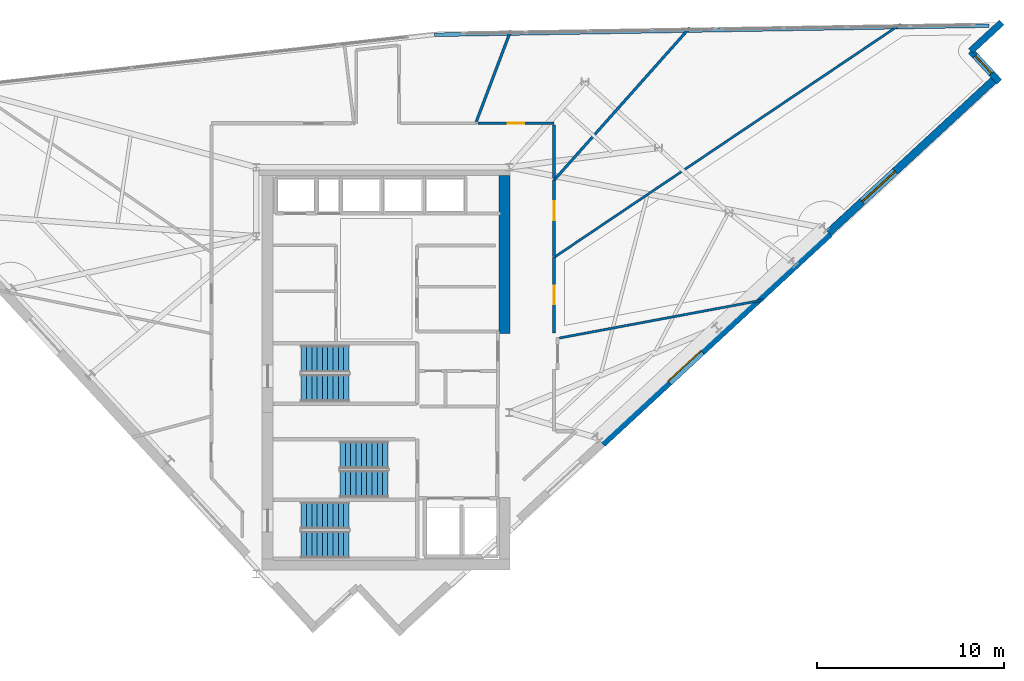
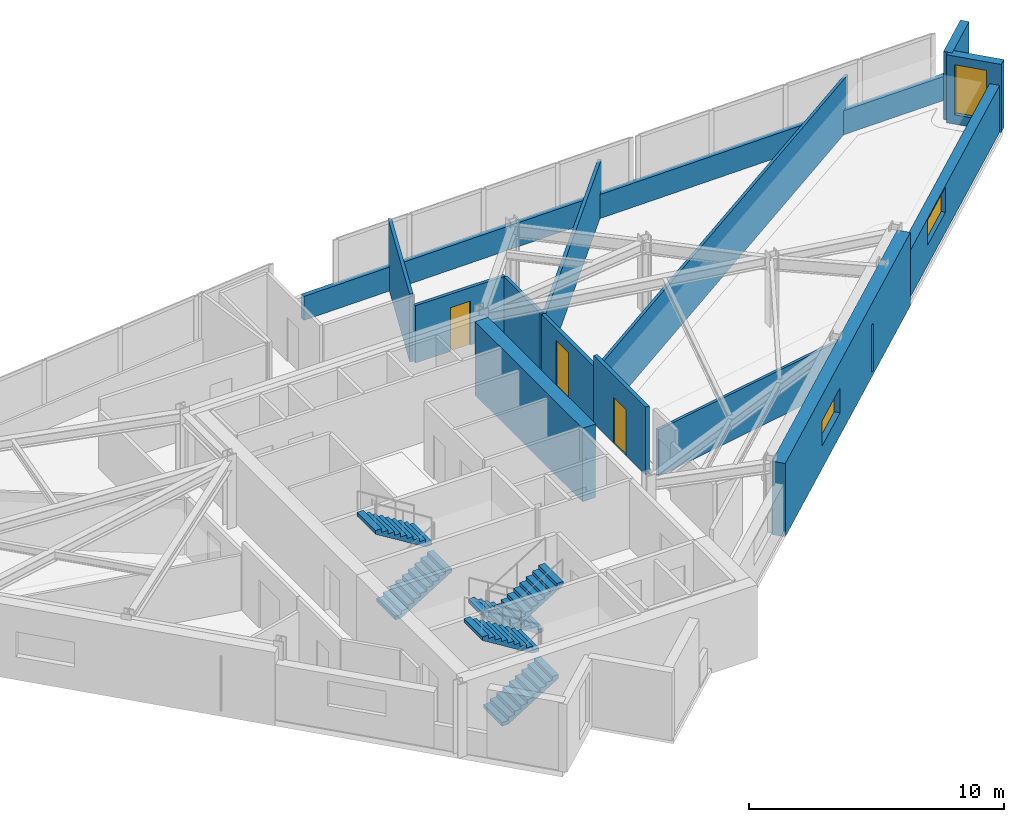
# One storey, part 12 of 14: 14 walls, 6 stair flights, 3 doors, 3 windows, 6 openings, 3 elements without a shape of their own.
"""IFC4 building model written with IfcOpenShell, lengths in metres."""

from ifc_helpers import new_model, si_unit, direction, frame, frame_2d, origin, place, context, subcontext, project, spatial, polyline, rectangle, outline, extrude, material, layer, layer_set, type_object, element, fill, aggregate, save


model = new_model("IFC4")

# Units and contexts
model_context = context("Model", 3, precision=1e-05, world=origin(), true_north=direction((0.0, 1.0)))
body_context = subcontext(model_context, "Body", "Model", "MODEL_VIEW")
ifc_project = project(units=[si_unit("LENGTHUNIT", "METRE"), si_unit("AREAUNIT", "SQUARE_METRE"), si_unit("VOLUMEUNIT", "CUBIC_METRE"), si_unit("PLANEANGLEUNIT", "RADIAN"), si_unit("MASSUNIT", "GRAM", prefix="KILO")], contexts=[model_context])

# Site, building, storey
site_placement = place(None, origin())
site = spatial("IfcSite", under=ifc_project, at=site_placement, CompositionType="ELEMENT")
building_placement = place(site_placement, origin())
building = spatial("IfcBuilding", under=site, at=building_placement, Name="Narakoshi Arena Tower", CompositionType="ELEMENT")
storey_placement = place(building_placement, frame((0.0, 0.0, 288.89990234375)))
storey = spatial("IfcBuildingStorey", under=building, at=storey_placement, Name="L79", CompositionType="ELEMENT", Elevation=288.89990234375)

# Wall
ifc_material_1 = material(Name="Concrete C50/60", Category="concrete")
ifc_layer_1 = layer(ifc_material_1, 0.60009765625)
ifc_layer_set_1 = layer_set([ifc_layer_1], Name="Concrete C50/60")
wall_type_1 = type_object("IfcWallType", Name="WL-CORE-600", PredefinedType="SHEAR", material=ifc_layer_set_1)
wall_1_placement = place(storey_placement, frame((85.300048828125, 47.60009765625, -0.260009765625), z_axis=(0.0, 0.0, 1.0), x_axis=(0.0, 1.0, 0.0)))
element("IfcWall", 1, at=wall_1_placement, inside=storey, type_object=wall_type_1, Name="L79 Main Core Shear Wall CW-MN-E", PredefinedType="SHEAR", context=body_context, shape_type="SweptSolid", body=[
    extrude(rectangle(XDim=8.449951171875, YDim=0.60009765625, at=frame_2d((4.22509765625, 0.0))), origin(), (0.0, 0.0, 1.0), 3.52001953125),
])

# Wall, opening, door
ifc_material_2 = material(Name="Gypsum plasterboard fire-rated partition")
ifc_layer_2 = layer(ifc_material_2, 0.1650390625)
ifc_layer_set_2 = layer_set([ifc_layer_2], Name="Gypsum plasterboard fire-rated partition")
wall_type_2 = type_object("IfcWallType", Name="WL-CORR-165", PredefinedType="PARTITIONING", material=ifc_layer_set_2)
wall_2_placement = place(storey_placement, frame((87.95849609375, 47.6201171875, 0.0), z_axis=(0.0, 0.0, 1.0), x_axis=(0.0, 1.0, 0.0)))
wall_2 = element("IfcWall", 2, at=wall_2_placement, inside=storey, type_object=wall_type_2, Name="L79 Corridor Partition 03-1", PredefinedType="PARTITIONING", context=body_context, shape_type="SweptSolid", body=[
    extrude(rectangle(XDim=4.0791015625, YDim=0.1650390625, at=frame_2d((2.03955078125, 0.0))), origin(), (0.0, 0.0, 1.0), 3.260009765625),
])
opening_1_placement = place(wall_2_placement, frame((1.53955078125, 0.0, 0.0)))
opening_1 = element("IfcOpeningElement", 3, at=opening_1_placement, cuts=wall_2, Name="Opening D-06", PredefinedType="OPENING", context=body_context, shape_type="SweptSolid", body=[
    extrude(rectangle(XDim=1.0, YDim=2.199951171875, at=frame_2d((0.5, 1.10009765625))), frame((0.0, 0.092529296875, 0.0), z_axis=(0.0, -1.0, 0.0), x_axis=(1.0, 0.0, 0.0)), (0.0, 0.0, 1.0), 0.18505859375),
])
ifc_material_3 = material(Name="Stained oak solid-core timber", Category="wood")
door_type_1 = type_object("IfcDoorType", Name="DR-OFF-1000", OperationType="NOTDEFINED", PredefinedType="DOOR", material=ifc_material_3)
door_1_placement = place(opening_1_placement, frame((1.0, 0.0, 0.0), z_axis=(0.0, 0.0, 1.0), x_axis=(-1.0, 0.0, 0.0)))
door_1 = element("IfcDoor", 4, at=door_1_placement, inside=storey, type_object=door_type_1, Name="DR-L79-018", OperationType="SINGLE_SWING_LEFT", OverallHeight=2.199951171875, OverallWidth=1.0, PredefinedType="DOOR", context=body_context, shape_type="SweptSolid", body=[
    extrude(rectangle(XDim=1.0, YDim=2.199951171875, at=frame_2d((0.5, 1.10009765625))), frame((0.0, 0.02490234375, 0.0), z_axis=(0.0, -1.0, 0.0), x_axis=(1.0, 0.0, 0.0)), (0.0, 0.0, 1.0), 0.050048828125),
])
fill(opening_1, door_1)

wall_3_placement = place(storey_placement, frame((87.95849609375, 51.72802734375, 0.0), z_axis=(0.0, 0.0, 1.0), x_axis=(0.0, 1.0, 0.0)))
wall_3 = element("IfcWall", 5, at=wall_3_placement, inside=storey, type_object=wall_type_2, Name="L79 Corridor Partition 04-1", PredefinedType="PARTITIONING", context=body_context, shape_type="SweptSolid", body=[
    extrude(rectangle(XDim=4.0791015625, YDim=0.1650390625, at=frame_2d((2.03955078125, 0.0))), origin(), (0.0, 0.0, 1.0), 2.7451171875),
])
opening_2_placement = place(wall_3_placement, frame((1.94140625, 0.0, 0.0)))
opening_2 = element("IfcOpeningElement", 6, at=opening_2_placement, cuts=wall_3, Name="Opening D-06", PredefinedType="OPENING", context=body_context, shape_type="SweptSolid", body=[
    extrude(rectangle(XDim=1.0, YDim=2.199951171875, at=frame_2d((0.5, 1.10009765625))), frame((0.0, 0.092529296875, 0.0), z_axis=(0.0, -1.0, 0.0), x_axis=(1.0, 0.0, 0.0)), (0.0, 0.0, 1.0), 0.18505859375),
])
door_2_placement = place(opening_2_placement, frame((1.0, 0.0, 0.0), z_axis=(0.0, 0.0, 1.0), x_axis=(-1.0, 0.0, 0.0)))
door_2 = element("IfcDoor", 7, at=door_2_placement, inside=storey, type_object=door_type_1, Name="DR-L79-019", OperationType="SINGLE_SWING_RIGHT", OverallHeight=2.199951171875, OverallWidth=1.0, PredefinedType="DOOR", context=body_context, shape_type="SweptSolid", body=[
    extrude(rectangle(XDim=1.0, YDim=2.199951171875, at=frame_2d((0.5, 1.10009765625))), frame((0.0, 0.02490234375, 0.0), z_axis=(0.0, -1.0, 0.0), x_axis=(1.0, 0.0, 0.0)), (0.0, 0.0, 1.0), 0.050048828125),
])
fill(opening_2, door_2)

# Wall, opening, window
ifc_layer_3 = layer(ifc_material_1, 0.550048828125)
ifc_layer_set_3 = layer_set([ifc_layer_3], Name="Concrete C50/60")
wall_type_3 = type_object("IfcWallType", Name="WL-LEG-550", PredefinedType="SHEAR", material=ifc_layer_set_3)
wall_4_placement = place(storey_placement, frame((90.5078125, 41.739501953125, -0.260009765625), z_axis=(0.0, 0.0, 1.0), x_axis=(0.734315848115, 0.678807951638, 0.0)))
wall_4 = element("IfcWall", 8, at=wall_4_placement, inside=storey, type_object=wall_type_3, Name="L79 Architectural Concrete Structural Wall LEGA-3", PredefinedType="SHEAR", context=body_context, shape_type="SweptSolid", body=[
    extrude(rectangle(XDim=16.57275390625, YDim=0.550048828125, at=frame_2d((8.286376953125, 0.0))), origin(), (0.0, 0.0, 1.0), 3.52001953125),
])
opening_3_placement = place(wall_4_placement, frame((4.85400390625, 0.0, 1.10009765625)))
opening_3 = element("IfcOpeningElement", 9, at=opening_3_placement, cuts=wall_4, Name="Opening WN-04", PredefinedType="OPENING", context=body_context, shape_type="SweptSolid", body=[
    extrude(rectangle(XDim=2.39990234375, YDim=1.199951171875, at=frame_2d((1.199951171875, 0.60009765625))), frame((0.0, 0.284912109375, 0.0), z_axis=(0.0, -1.0, 0.0), x_axis=(1.0, 0.0, 0.0)), (0.0, 0.0, 1.0), 0.570068359375),
])
ifc_material_4 = material(Name="Bronze-tinted low-E laminated glass", Category="glass")
window_type_1 = type_object("IfcWindowType", Name="WIN-SLT-24x12", PartitioningType="SINGLE_PANEL", PredefinedType="WINDOW", material=ifc_material_4)
window_1_placement = place(opening_3_placement, origin())
window_1 = element("IfcWindow", 10, at=window_1_placement, inside=storey, type_object=window_type_1, Name="L79 LEGA3 Horizontal Slot Window 1", OverallHeight=1.199951171875, OverallWidth=2.39990234375, PartitioningType="SINGLE_PANEL", PredefinedType="WINDOW", context=body_context, shape_type="SweptSolid", body=[
    extrude(rectangle(XDim=2.39990234375, YDim=1.199951171875, at=frame_2d((1.199951171875, 0.60009765625))), frame((0.0, 0.030029296875, 0.0), z_axis=(0.0, -1.0, 0.0), x_axis=(1.0, 0.0, 0.0)), (0.0, 0.0, 1.0), 0.06005859375),
])
fill(opening_3, window_1)

# Walls
ifc_material_5 = material(Name="Precast concrete C45/55", Category="concrete")
ifc_layer_4 = layer(ifc_material_5, 0.25)
ifc_layer_set_4 = layer_set([ifc_layer_4], Name="Precast concrete C45/55")
wall_type_4 = type_object("IfcWallType", Name="WL-PARA-250", PredefinedType="PARAPET", material=ifc_layer_set_4)
wall_5_placement = place(storey_placement, frame((111.2705078125, 64.091796875, 0.0), z_axis=(0.0, 0.0, 1.0), x_axis=(-0.999864741935, -0.016446818413, 0.0)))
element("IfcWall", 11, at=wall_5_placement, inside=storey, type_object=wall_type_4, Name="L79 Hypotenuse Sill Upstand Parapet 1-01", PredefinedType="PARAPET", context=body_context, shape_type="SweptSolid", body=[
    extrude(rectangle(XDim=29.73291015625, YDim=0.199951171875, at=frame_2d((14.866455078125, 0.0))), origin(), (0.0, 0.0, 1.0), 1.150146484375),
])
ifc_layer_5 = layer(ifc_material_2, 0.125)
ifc_layer_set_5 = layer_set([ifc_layer_5], Name="Gypsum plasterboard fire-rated partition")
wall_type_5 = type_object("IfcWallType", Name="WL-PART-125", PredefinedType="PARTITIONING", material=ifc_layer_set_5)
wall_6_placement = place(storey_placement, frame((88.244384765625, 47.34521484375, 0.0), z_axis=(0.0, 0.0, 1.0), x_axis=(0.982996085733, 0.183626510706, 0.0)))
element("IfcWall", 12, at=wall_6_placement, inside=storey, type_object=wall_type_5, Name="L79 Inter-Room Partition 02-03", PredefinedType="PARTITIONING", context=body_context, shape_type="SweptSolid", body=[
    extrude(rectangle(XDim=11.133544921875, YDim=0.125, at=frame_2d((5.56689453125, 0.0))), origin(), (0.0, 0.0, 1.0), 2.2451171875),
])
wall_7_placement = place(storey_placement, frame((88.0048828125, 51.69921875, 0.0), z_axis=(0.0, 0.0, 1.0), x_axis=(0.829606339306, 0.558348745663, 0.0)))
element("IfcWall", 13, at=wall_7_placement, inside=storey, type_object=wall_type_5, Name="L79 Inter-Room Partition 03-04", PredefinedType="PARTITIONING", context=body_context, shape_type="SweptSolid", body=[
    extrude(rectangle(XDim=22.34228515625, YDim=0.125, at=frame_2d((11.171142578125, 0.0))), origin(), (0.0, 0.0, 1.0), 2.64501953125),
])

# Wall, opening, window
ifc_layer_6 = layer(ifc_material_5, 0.419921875)
ifc_layer_set_6 = layer_set([ifc_layer_6], Name="Precast concrete C45/55")
wall_type_6 = type_object("IfcWallType", Name="WL-POD-420", PredefinedType="SOLIDWALL", material=ifc_layer_set_6)
wall_8_placement = place(storey_placement, frame((102.677490234375, 52.9892578125, 0.0), z_axis=(0.0, 0.0, 1.0), x_axis=(0.734331107219, 0.678791444386, 0.0)))
wall_8 = element("IfcWall", 14, at=wall_8_placement, inside=storey, type_object=wall_type_6, Name="L79 Architectural Concrete Facade Wall LEGA-4", PredefinedType="SOLIDWALL", context=body_context, shape_type="SweptSolid", body=[
    extrude(rectangle(XDim=12.21142578125, YDim=0.419921875, at=frame_2d((6.105712890625, 0.0))), origin(), (0.0, 0.0, 1.0), 2.2451171875),
])
opening_4_placement = place(wall_8_placement, frame((2.453857421875, 0.0, 0.965087890625)))
opening_4 = element("IfcOpeningElement", 15, at=opening_4_placement, cuts=wall_8, Name="Opening WN-04", PredefinedType="OPENING", context=body_context, shape_type="SweptSolid", body=[
    extrude(rectangle(XDim=2.39990234375, YDim=1.199951171875, at=frame_2d((1.199951171875, 0.60009765625))), frame((0.0, 0.219970703125, 0.0), z_axis=(0.0, -1.0, 0.0), x_axis=(1.0, 0.0, 0.0)), (0.0, 0.0, 1.0), 0.43994140625),
])
window_2_placement = place(opening_4_placement, origin())
window_2 = element("IfcWindow", 16, at=window_2_placement, inside=storey, type_object=window_type_1, Name="L79 LEGA4 Horizontal Slot Window 1", OverallHeight=1.199951171875, OverallWidth=2.39990234375, PartitioningType="SINGLE_PANEL", PredefinedType="WINDOW", context=body_context, shape_type="SweptSolid", body=[
    extrude(rectangle(XDim=2.39990234375, YDim=1.199951171875, at=frame_2d((1.199951171875, 0.60009765625))), frame((0.0, 0.030029296875, 0.0), z_axis=(0.0, -1.0, 0.0), x_axis=(1.0, 0.0, 0.0)), (0.0, 0.0, 1.0), 0.06005859375),
])
fill(opening_4, window_2)

wall_9_placement = place(storey_placement, frame((111.83154296875, 61.076416015625, 0.0), z_axis=(0.0, 0.0, 1.0), x_axis=(-0.678792531533, 0.734330102294, 0.0)))
wall_9 = element("IfcWall", 17, at=wall_9_placement, inside=storey, type_object=wall_type_6, Name="L79 Re-Entrant Corner Notch Wall NTE-1", PredefinedType="SOLIDWALL", context=body_context, shape_type="SweptSolid", body=[
    extrude(rectangle(XDim=2.255126953125, YDim=0.360107421875, at=frame_2d((1.12744140625, 0.0))), origin(), (0.0, 0.0, 1.0), 3.260009765625),
])
opening_5_placement = place(wall_9_placement, frame((0.614990234375, 0.0, 0.449951171875)))
opening_5 = element("IfcOpeningElement", 18, at=opening_5_placement, cuts=wall_9, Name="Opening WN-06", PredefinedType="OPENING", context=body_context, shape_type="SweptSolid", body=[
    extrude(rectangle(XDim=1.300048828125, YDim=2.39990234375, at=frame_2d((0.64990234375, 1.199951171875))), frame((0.0, 0.18994140625, 0.0), z_axis=(0.0, -1.0, 0.0), x_axis=(1.0, 0.0, 0.0)), (0.0, 0.0, 1.0), 0.380126953125),
])
window_type_2 = type_object("IfcWindowType", Name="WIN-NTC-16x24", PartitioningType="SINGLE_PANEL", PredefinedType="WINDOW", material=ifc_material_4)
window_3_placement = place(opening_5_placement, origin())
window_3 = element("IfcWindow", 19, at=window_3_placement, inside=storey, type_object=window_type_2, Name="L79 Corner Notch Window NTE", OverallHeight=2.39990234375, OverallWidth=1.300048828125, PartitioningType="SINGLE_PANEL", PredefinedType="WINDOW", context=body_context, shape_type="SweptSolid", body=[
    extrude(rectangle(XDim=1.300048828125, YDim=2.39990234375, at=frame_2d((0.64990234375, 1.199951171875))), frame((0.0, 0.030029296875, 0.0), z_axis=(0.0, -1.0, 0.0), x_axis=(1.0, 0.0, 0.0)), (0.0, 0.0, 1.0), 0.06005859375),
])
fill(opening_5, window_3)

# Walls
wall_10_placement = place(storey_placement, frame((110.30078125, 62.732421875, 0.0), z_axis=(0.0, 0.0, 1.0), x_axis=(0.734330102294, 0.678792531533, 0.0)))
element("IfcWall", 20, at=wall_10_placement, inside=storey, type_object=wall_type_6, Name="L79 Re-Entrant Corner Notch Wall NTE-2", PredefinedType="SOLIDWALL", context=body_context, shape_type="SweptSolid", body=[
    extrude(rectangle(XDim=2.255126953125, YDim=0.360107421875, at=frame_2d((1.12744140625, 0.0))), origin(), (0.0, 0.0, 1.0), 3.260009765625),
])
ifc_material_6 = material(Name="Moisture-resistant cement-board partition")
ifc_layer_7 = layer(ifc_material_6, 0.14501953125)
ifc_layer_set_7 = layer_set([ifc_layer_7], Name="Moisture-resistant cement-board partition")
wall_type_7 = type_object("IfcWallType", Name="WL-WET-145", PredefinedType="PARTITIONING", material=ifc_layer_set_7)
wall_11_placement = place(storey_placement, frame((87.95849609375, 55.80712890625, 0.0), z_axis=(0.0, 0.0, 1.0), x_axis=(0.664839678945, 0.746986078385, 0.0)))
element("IfcWall", 21, at=wall_11_placement, inside=storey, type_object=wall_type_7, Name="L79 Inter-Room Partition 04-06", PredefinedType="PARTITIONING", context=body_context, shape_type="SweptSolid", body=[
    extrude(rectangle(XDim=10.951904296875, YDim=0.14501953125, at=frame_2d((5.47607421875, 0.0))), origin(), (0.0, 0.0, 1.0), 2.64501953125),
])
wall_12_placement = place(storey_placement, frame((85.636474609375, 63.830078125, 0.0), z_axis=(0.0, 0.0, 1.0), x_axis=(-0.353590482125, -0.935400326572, 0.0)))
element("IfcWall", 22, at=wall_12_placement, inside=storey, type_object=wall_type_7, Name="L79 Inter-Room Partition 05-06", PredefinedType="PARTITIONING", context=body_context, shape_type="SweptSolid", body=[
    extrude(rectangle(XDim=5.224609375, YDim=0.14501953125, at=frame_2d((2.6123046875, 0.0))), origin(), (0.0, 0.0, 1.0), 3.260009765625),
])

# Wall, opening, door
wall_13_placement = place(storey_placement, frame((87.95849609375, 58.8583984375, 0.0), z_axis=(0.0, 0.0, 1.0), x_axis=(-1.0, 0.0, 0.0)))
wall_13 = element("IfcWall", 23, at=wall_13_placement, inside=storey, type_object=wall_type_7, Name="L79 Corridor Partition 06-1", PredefinedType="PARTITIONING", context=body_context, shape_type="SweptSolid", body=[
    extrude(rectangle(XDim=4.076904296875, YDim=0.14501953125, at=frame_2d((2.03857421875, 0.0))), origin(), (0.0, 0.0, 1.0), 2.7451171875),
])
opening_6_placement = place(wall_13_placement, frame((1.58837890625, 0.0, 0.0)))
opening_6 = element("IfcOpeningElement", 24, at=opening_6_placement, cuts=wall_13, Name="Opening D-08", PredefinedType="OPENING", context=body_context, shape_type="SweptSolid", body=[
    extrude(rectangle(XDim=0.89990234375, YDim=2.10009765625, at=frame_2d((0.449951171875, 1.050048828125))), frame((0.0, 0.08251953125, 0.0), z_axis=(0.0, -1.0, 0.0), x_axis=(1.0, 0.0, 0.0)), (0.0, 0.0, 1.0), 0.1650390625),
])
ifc_material_7 = material(Name="Moisture-resistant laminate timber", Category="wood")
door_type_2 = type_object("IfcDoorType", Name="DR-WC-900", OperationType="NOTDEFINED", PredefinedType="DOOR", material=ifc_material_7)
door_3_placement = place(opening_6_placement, frame((0.89990234375, 0.0, 0.0), z_axis=(0.0, 0.0, 1.0), x_axis=(-1.0, 0.0, 0.0)))
door_3 = element("IfcDoor", 25, at=door_3_placement, inside=storey, type_object=door_type_2, Name="DR-L79-021", OperationType="SINGLE_SWING_LEFT", OverallHeight=2.10009765625, OverallWidth=0.89990234375, PredefinedType="DOOR", context=body_context, shape_type="SweptSolid", body=[
    extrude(rectangle(XDim=0.89990234375, YDim=2.10009765625, at=frame_2d((0.449951171875, 1.050048828125))), frame((0.0, 0.02490234375, 0.0), z_axis=(0.0, -1.0, 0.0), x_axis=(1.0, 0.0, 0.0)), (0.0, 0.0, 1.0), 0.050048828125),
])
fill(opening_6, door_3)

# Wall
wall_14_placement = place(storey_placement, frame((87.95849609375, 55.934326171875, 0.0), z_axis=(0.0, 0.0, 1.0), x_axis=(0.0, 1.0, 0.0)))
element("IfcWall", 26, at=wall_14_placement, inside=storey, type_object=wall_type_7, Name="L79 Corridor Partition 06-2", PredefinedType="PARTITIONING", context=body_context, shape_type="SweptSolid", body=[
    extrude(rectangle(XDim=2.839599609375, YDim=0.14501953125, at=frame_2d((1.419921875, 0.0))), origin(), (0.0, 0.0, 1.0), 2.7451171875),
])

# Stair, stair flights
ifc_material_8 = material(Name="Concrete C45/55", Category="concrete")
stair_type = type_object("IfcStairType", Name="STR-CORE-352", PredefinedType="TWO_STRAIGHT_RUN_STAIR", material=ifc_material_8)
stair_1_placement = place(storey_placement, origin())
stair_1 = element("IfcStair", 27, at=stair_1_placement, inside=storey, type_object=stair_type, Name="L79 Core Escape Stair ST1", PredefinedType="TWO_STRAIGHT_RUN_STAIR")
stair_flight_type = type_object("IfcStairFlightType", Name="FLT-145-160", PredefinedType="STRAIGHT", material=ifc_material_5)
stair_flight_1_placement = place(storey_placement, frame((74.39990234375, 36.27490234375, 0.0), z_axis=(0.0, 0.0, 1.0), x_axis=(1.0, 0.0, 0.0)))
stair_flight_1 = element("IfcStairFlight", 28, at=stair_flight_1_placement, type_object=stair_flight_type, Name="ST1 flight 1", NumberOfRisers=10, NumberOfTreads=9, PredefinedType="STRAIGHT", RiserHeight=0.176, TreadLength=0.285, context=body_context, shape_type="SweptSolid", body=[
    extrude(outline(polyline([(0.0, 0.0), (0.0, 0.176025390625), (0.284912109375, 0.176025390625), (0.284912109375, 0.35205078125), (0.570068359375, 0.35205078125), (0.570068359375, 0.528076171875), (0.85498046875, 0.528076171875), (0.85498046875, 0.7041015625), (1.139892578125, 0.7041015625), (1.139892578125, 0.8798828125), (1.425048828125, 0.8798828125), (1.425048828125, 1.055908203125), (1.7099609375, 1.055908203125), (1.7099609375, 1.23193359375), (1.9951171875, 1.23193359375), (1.9951171875, 1.407958984375), (2.280029296875, 1.407958984375), (2.280029296875, 1.583984375), (2.56494140625, 1.583984375), (2.56494140625, 1.760009765625), (2.56494140625, 1.40771484375), (0.285400390625, 0.0), (0.0, 0.0)])), frame((0.0, 0.72509765625, 0.0), z_axis=(0.0, -1.0, 0.0), x_axis=(1.0, 0.0, 0.0)), (0.0, 0.0, 1.0), 1.449951171875),
])
stair_flight_2_placement = place(storey_placement, frame((76.965087890625, 37.824951171875, 1.760009765625), z_axis=(0.0, 0.0, 1.0), x_axis=(-1.0, 0.0, 0.0)))
stair_flight_2 = element("IfcStairFlight", 29, at=stair_flight_2_placement, type_object=stair_flight_type, Name="ST1 flight 2", NumberOfRisers=10, NumberOfTreads=9, PredefinedType="STRAIGHT", RiserHeight=0.176, TreadLength=0.285, context=body_context, shape_type="SweptSolid", body=[
    extrude(outline(polyline([(0.0, 0.0), (0.0, 0.176025390625), (0.284912109375, 0.176025390625), (0.284912109375, 0.35205078125), (0.570068359375, 0.35205078125), (0.570068359375, 0.528076171875), (0.85498046875, 0.528076171875), (0.85498046875, 0.7041015625), (1.139892578125, 0.7041015625), (1.139892578125, 0.8798828125), (1.425048828125, 0.8798828125), (1.425048828125, 1.055908203125), (1.7099609375, 1.055908203125), (1.7099609375, 1.23193359375), (1.9951171875, 1.23193359375), (1.9951171875, 1.407958984375), (2.280029296875, 1.407958984375), (2.280029296875, 1.583984375), (2.56494140625, 1.583984375), (2.56494140625, 1.760009765625), (2.56494140625, 1.40771484375), (0.285400390625, 0.0), (0.0, 0.0)])), frame((0.0, 0.72509765625, 0.0), z_axis=(0.0, -1.0, 0.0), x_axis=(1.0, 0.0, 0.0)), (0.0, 0.0, 1.0), 1.449951171875),
])
aggregate(stair_1, [stair_flight_1, stair_flight_2])

stair_2_placement = place(storey_placement, origin())
stair_2 = element("IfcStair", 30, at=stair_2_placement, inside=storey, type_object=stair_type, Name="L79 Core Escape Stair ST2", PredefinedType="TWO_STRAIGHT_RUN_STAIR")
stair_flight_3_placement = place(storey_placement, frame((79.050048828125, 41.074951171875, 0.0), z_axis=(0.0, 0.0, 1.0), x_axis=(-1.0, 0.0, 0.0)))
stair_flight_3 = element("IfcStairFlight", 31, at=stair_flight_3_placement, type_object=stair_flight_type, Name="ST2 flight 1", NumberOfRisers=10, NumberOfTreads=9, PredefinedType="STRAIGHT", RiserHeight=0.176, TreadLength=0.285, context=body_context, shape_type="SweptSolid", body=[
    extrude(outline(polyline([(0.0, 0.0), (0.0, 0.176025390625), (0.284912109375, 0.176025390625), (0.284912109375, 0.35205078125), (0.570068359375, 0.35205078125), (0.570068359375, 0.528076171875), (0.85498046875, 0.528076171875), (0.85498046875, 0.7041015625), (1.139892578125, 0.7041015625), (1.139892578125, 0.8798828125), (1.425048828125, 0.8798828125), (1.425048828125, 1.055908203125), (1.7099609375, 1.055908203125), (1.7099609375, 1.23193359375), (1.9951171875, 1.23193359375), (1.9951171875, 1.407958984375), (2.280029296875, 1.407958984375), (2.280029296875, 1.583984375), (2.56494140625, 1.583984375), (2.56494140625, 1.760009765625), (2.56494140625, 1.40771484375), (0.285400390625, 0.0), (0.0, 0.0)])), frame((0.0, 0.72509765625, 0.0), z_axis=(0.0, -1.0, 0.0), x_axis=(1.0, 0.0, 0.0)), (0.0, 0.0, 1.0), 1.449951171875),
])
stair_flight_4_placement = place(storey_placement, frame((76.485107421875, 39.52490234375, 1.760009765625), z_axis=(0.0, 0.0, 1.0), x_axis=(1.0, 0.0, 0.0)))
stair_flight_4 = element("IfcStairFlight", 32, at=stair_flight_4_placement, type_object=stair_flight_type, Name="ST2 flight 2", NumberOfRisers=10, NumberOfTreads=9, PredefinedType="STRAIGHT", RiserHeight=0.176, TreadLength=0.285, context=body_context, shape_type="SweptSolid", body=[
    extrude(outline(polyline([(0.0, 0.0), (0.0, 0.176025390625), (0.284912109375, 0.176025390625), (0.284912109375, 0.35205078125), (0.570068359375, 0.35205078125), (0.570068359375, 0.528076171875), (0.85498046875, 0.528076171875), (0.85498046875, 0.7041015625), (1.139892578125, 0.7041015625), (1.139892578125, 0.8798828125), (1.425048828125, 0.8798828125), (1.425048828125, 1.055908203125), (1.7099609375, 1.055908203125), (1.7099609375, 1.23193359375), (1.9951171875, 1.23193359375), (1.9951171875, 1.407958984375), (2.280029296875, 1.407958984375), (2.280029296875, 1.583984375), (2.56494140625, 1.583984375), (2.56494140625, 1.760009765625), (2.56494140625, 1.40771484375), (0.285400390625, 0.0), (0.0, 0.0)])), frame((0.0, 0.72509765625, 0.0), z_axis=(0.0, -1.0, 0.0), x_axis=(1.0, 0.0, 0.0)), (0.0, 0.0, 1.0), 1.449951171875),
])
aggregate(stair_2, [stair_flight_3, stair_flight_4])

stair_3_placement = place(storey_placement, origin())
stair_3 = element("IfcStair", 33, at=stair_3_placement, inside=storey, type_object=stair_type, Name="L79 Core Escape Stair ST3", PredefinedType="TWO_STRAIGHT_RUN_STAIR")
stair_flight_5_placement = place(storey_placement, frame((74.39990234375, 44.675048828125, 0.0), z_axis=(0.0, 0.0, 1.0), x_axis=(1.0, 0.0, 0.0)))
stair_flight_5 = element("IfcStairFlight", 34, at=stair_flight_5_placement, type_object=stair_flight_type, Name="ST3 flight 1", NumberOfRisers=10, NumberOfTreads=9, PredefinedType="STRAIGHT", RiserHeight=0.176, TreadLength=0.285, context=body_context, shape_type="SweptSolid", body=[
    extrude(outline(polyline([(0.0, 0.0), (0.0, 0.176025390625), (0.284912109375, 0.176025390625), (0.284912109375, 0.35205078125), (0.570068359375, 0.35205078125), (0.570068359375, 0.528076171875), (0.85498046875, 0.528076171875), (0.85498046875, 0.7041015625), (1.139892578125, 0.7041015625), (1.139892578125, 0.8798828125), (1.425048828125, 0.8798828125), (1.425048828125, 1.055908203125), (1.7099609375, 1.055908203125), (1.7099609375, 1.23193359375), (1.9951171875, 1.23193359375), (1.9951171875, 1.407958984375), (2.280029296875, 1.407958984375), (2.280029296875, 1.583984375), (2.56494140625, 1.583984375), (2.56494140625, 1.760009765625), (2.56494140625, 1.40771484375), (0.285400390625, 0.0), (0.0, 0.0)])), frame((0.0, 0.72509765625, 0.0), z_axis=(0.0, -1.0, 0.0), x_axis=(1.0, 0.0, 0.0)), (0.0, 0.0, 1.0), 1.449951171875),
])
stair_flight_6_placement = place(storey_placement, frame((76.965087890625, 46.22509765625, 1.760009765625), z_axis=(0.0, 0.0, 1.0), x_axis=(-1.0, 0.0, 0.0)))
stair_flight_6 = element("IfcStairFlight", 35, at=stair_flight_6_placement, type_object=stair_flight_type, Name="ST3 flight 2", NumberOfRisers=10, NumberOfTreads=9, PredefinedType="STRAIGHT", RiserHeight=0.176, TreadLength=0.285, context=body_context, shape_type="SweptSolid", body=[
    extrude(outline(polyline([(0.0, 0.0), (0.0, 0.176025390625), (0.284912109375, 0.176025390625), (0.284912109375, 0.35205078125), (0.570068359375, 0.35205078125), (0.570068359375, 0.528076171875), (0.85498046875, 0.528076171875), (0.85498046875, 0.7041015625), (1.139892578125, 0.7041015625), (1.139892578125, 0.8798828125), (1.425048828125, 0.8798828125), (1.425048828125, 1.055908203125), (1.7099609375, 1.055908203125), (1.7099609375, 1.23193359375), (1.9951171875, 1.23193359375), (1.9951171875, 1.407958984375), (2.280029296875, 1.407958984375), (2.280029296875, 1.583984375), (2.56494140625, 1.583984375), (2.56494140625, 1.760009765625), (2.56494140625, 1.40771484375), (0.285400390625, 0.0), (0.0, 0.0)])), frame((0.0, 0.72509765625, 0.0), z_axis=(0.0, -1.0, 0.0), x_axis=(1.0, 0.0, 0.0)), (0.0, 0.0, 1.0), 1.449951171875),
])
aggregate(stair_3, [stair_flight_5, stair_flight_6])

save(model, "model.ifc")
